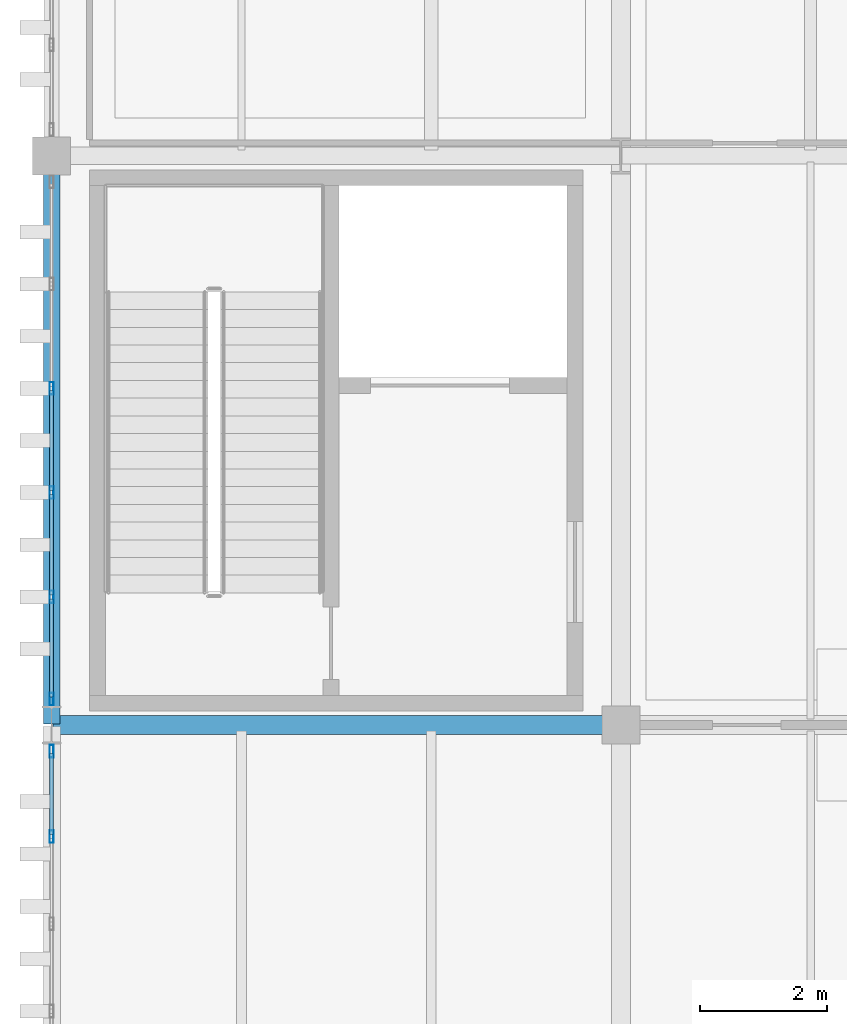
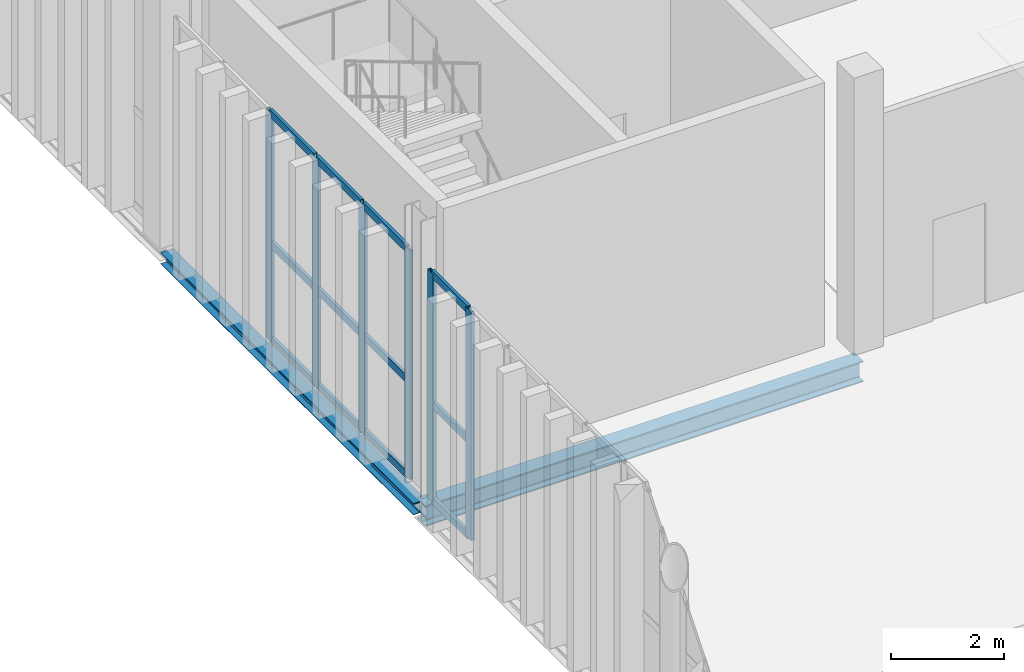
# One storey, part 34 of 211: 18 members, 2 beams, 2 elements without a shape of their own.
"""IFC4 building model written with IfcOpenShell, lengths in metres."""

from ifc_helpers import new_model, si_unit, direction, frame, origin, origin_2d, place, context, subcontext, project, spatial, hollow_rectangle, i_section, extrude, material, layer, layer_set, material_profile, profile_set, type_object, element, aggregate, save


model = new_model("IFC4")

# Units and contexts
model_context = context("Model", 3, precision=1e-05, world=origin(), true_north=direction((0.0, 1.0)))
body_context = subcontext(model_context, "Body", "Model", "MODEL_VIEW")
ifc_project = project(units=[si_unit("LENGTHUNIT", "METRE"), si_unit("AREAUNIT", "SQUARE_METRE"), si_unit("VOLUMEUNIT", "CUBIC_METRE"), si_unit("PLANEANGLEUNIT", "RADIAN"), si_unit("MASSUNIT", "GRAM", prefix="KILO")], contexts=[model_context])

# Site, building, storey
site_placement = place(None, origin())
site = spatial("IfcSite", under=ifc_project, at=site_placement, CompositionType="ELEMENT")
building_placement = place(site_placement, origin())
building = spatial("IfcBuilding", under=site, at=building_placement, Name="Barlavento Convention Centre", CompositionType="ELEMENT")
storey_placement = place(building_placement, frame((0.0, 0.0, 6.0)))
storey = spatial("IfcBuildingStorey", under=building, at=storey_placement, Name="L01", CompositionType="ELEMENT", Elevation=6.0)

# Curtain wall, members
ifc_material_1 = material(Name="Powder-coated aluminium and Low-E glass", Category="aluminium")
ifc_layer = layer(ifc_material_1, 0.18505859375)
ifc_layer_set = layer_set([ifc_layer], Name="ARC-CW-CONG-L01")
curtain_wall_type = type_object("IfcCurtainWallType", Name="ARC-CW-CONG-L01", PredefinedType="NOTDEFINED", material=ifc_layer_set)
curtain_wall_1_placement = place(storey_placement, origin())
curtain_wall_1 = element("IfcCurtainWall", 1, at=curtain_wall_1_placement, inside=storey, type_object=curtain_wall_type, Name="L01 unitised curtain wall CW01", PredefinedType="NOTDEFINED")
ifc_material_2 = material(Name="Powder-coated aluminium", Category="aluminium")
ifc_material_profile_1 = material_profile(ifc_material_2, hollow_rectangle(XDim=0.06494140625, YDim=0.199951171875, WallThickness=0.0048828125, at=origin_2d()), Name="AL-MULL 65x200x5")
ifc_profile_set_1 = profile_set([ifc_material_profile_1], Name="Powder-coated aluminium")
member_type_1 = type_object("IfcMemberType", Name="ARC-CWM-65X200", PredefinedType="MULLION", material=ifc_profile_set_1)
member_1_placement = place(storey_placement, frame((0.0, 16.239013671875, 0.0), z_axis=(0.0, 0.0, 1.0), x_axis=(-1.0, 0.0, 0.0)))
member_1 = element("IfcMember", 2, at=member_1_placement, type_object=member_type_1, Name="CW01 mullion 6", PredefinedType="MULLION", context=body_context, shape_type="SweptSolid", body=[
    extrude(hollow_rectangle(XDim=0.06494140625, YDim=0.199951171875, WallThickness=0.0048828125, at=origin_2d()), origin(), (0.0, 0.0, 1.0), 4.949951171875),
])
member_2_placement = place(storey_placement, frame((0.0, 17.58740234375, 0.0), z_axis=(0.0, 0.0, 1.0), x_axis=(-1.0, 0.0, 0.0)))
member_2 = element("IfcMember", 3, at=member_2_placement, type_object=member_type_1, Name="CW01 mullion 7", PredefinedType="MULLION", context=body_context, shape_type="SweptSolid", body=[
    extrude(hollow_rectangle(XDim=0.06494140625, YDim=0.199951171875, WallThickness=0.0048828125, at=origin_2d()), origin(), (0.0, 0.0, 1.0), 4.949951171875),
])

curtain_wall_2_placement = place(storey_placement, origin())
curtain_wall_2 = element("IfcCurtainWall", 4, at=curtain_wall_2_placement, inside=storey, type_object=curtain_wall_type, Name="L01 unitised curtain wall CW01", PredefinedType="NOTDEFINED")
member_3_placement = place(storey_placement, frame((0.0, 18.41259765625, 0.0), z_axis=(0.0, 0.0, 1.0), x_axis=(-1.0, 0.0, 0.0)))
member_3 = element("IfcMember", 5, at=member_3_placement, type_object=member_type_1, Name="CW01 mullion 1", PredefinedType="MULLION", context=body_context, shape_type="SweptSolid", body=[
    extrude(hollow_rectangle(XDim=0.06494140625, YDim=0.199951171875, WallThickness=0.0048828125, at=origin_2d()), origin(), (0.0, 0.0, 1.0), 4.949951171875),
])
member_4_placement = place(storey_placement, frame((0.0, 20.028076171875, 0.0), z_axis=(0.0, 0.0, 1.0), x_axis=(-1.0, 0.0, 0.0)))
member_4 = element("IfcMember", 6, at=member_4_placement, type_object=member_type_1, Name="CW01 mullion 2", PredefinedType="MULLION", context=body_context, shape_type="SweptSolid", body=[
    extrude(hollow_rectangle(XDim=0.06494140625, YDim=0.199951171875, WallThickness=0.0048828125, at=origin_2d()), origin(), (0.0, 0.0, 1.0), 4.949951171875),
])
member_5_placement = place(storey_placement, frame((0.0, 21.676025390625, 0.0), z_axis=(0.0, 0.0, 1.0), x_axis=(-1.0, 0.0, 0.0)))
member_5 = element("IfcMember", 7, at=member_5_placement, type_object=member_type_1, Name="CW01 mullion 3", PredefinedType="MULLION", context=body_context, shape_type="SweptSolid", body=[
    extrude(hollow_rectangle(XDim=0.06494140625, YDim=0.199951171875, WallThickness=0.0048828125, at=origin_2d()), origin(), (0.0, 0.0, 1.0), 4.949951171875),
])
member_6_placement = place(storey_placement, frame((0.0, 23.323974609375, 0.0), z_axis=(0.0, 0.0, 1.0), x_axis=(-1.0, 0.0, 0.0)))
member_6 = element("IfcMember", 8, at=member_6_placement, type_object=member_type_1, Name="CW01 mullion 4", PredefinedType="MULLION", context=body_context, shape_type="SweptSolid", body=[
    extrude(hollow_rectangle(XDim=0.06494140625, YDim=0.199951171875, WallThickness=0.0048828125, at=origin_2d()), origin(), (0.0, 0.0, 1.0), 4.949951171875),
])

# Member
ifc_material_profile_2 = material_profile(ifc_material_2, hollow_rectangle(XDim=0.06494140625, YDim=0.159912109375, WallThickness=0.0048828125, at=origin_2d()), Name="AL-TRAN 65x160x5")
ifc_profile_set_2 = profile_set([ifc_material_profile_2], Name="Powder-coated aluminium")
member_type_2 = type_object("IfcMemberType", Name="ARC-CWT-65X160", PredefinedType="USERDEFINED", material=ifc_profile_set_2)
member_7_placement = place(storey_placement, frame((0.0, 16.271484375, 0.032470703125), z_axis=(0.0, 1.0, 0.0), x_axis=(-1.0, 0.0, 0.0)))
member_7 = element("IfcMember", 9, at=member_7_placement, type_object=member_type_2, Name="CW01 transom 6.1", ObjectType="TRANSOM", PredefinedType="USERDEFINED", context=body_context, shape_type="SweptSolid", body=[
    extrude(hollow_rectangle(XDim=0.06494140625, YDim=0.159912109375, WallThickness=0.0048828125, at=origin_2d()), origin(), (0.0, 0.0, 1.0), 1.283447265625),
])

member_8_placement = place(storey_placement, frame((0.0, 16.271484375, 2.10009765625), z_axis=(0.0, 1.0, 0.0), x_axis=(-1.0, 0.0, 0.0)))
member_8 = element("IfcMember", 10, at=member_8_placement, type_object=member_type_2, Name="CW01 transom 6.2", ObjectType="TRANSOM", PredefinedType="USERDEFINED", context=body_context, shape_type="SweptSolid", body=[
    extrude(hollow_rectangle(XDim=0.06494140625, YDim=0.159912109375, WallThickness=0.0048828125, at=origin_2d()), origin(), (0.0, 0.0, 1.0), 1.283447265625),
])

member_9_placement = place(storey_placement, frame((0.0, 16.271484375, 4.91748046875), z_axis=(0.0, 1.0, 0.0), x_axis=(-1.0, 0.0, 0.0)))
member_9 = element("IfcMember", 11, at=member_9_placement, type_object=member_type_2, Name="CW01 transom 6.3", ObjectType="TRANSOM", PredefinedType="USERDEFINED", context=body_context, shape_type="SweptSolid", body=[
    extrude(hollow_rectangle(XDim=0.06494140625, YDim=0.159912109375, WallThickness=0.0048828125, at=origin_2d()), origin(), (0.0, 0.0, 1.0), 1.283447265625),
])

aggregate(curtain_wall_1, [member_1, member_2, member_7, member_8, member_9])

member_10_placement = place(storey_placement, frame((0.0, 18.445068359375, 0.032470703125), z_axis=(0.0, 1.0, 0.0), x_axis=(-1.0, 0.0, 0.0)))
member_10 = element("IfcMember", 12, at=member_10_placement, type_object=member_type_2, Name="CW01 transom 1.1", ObjectType="TRANSOM", PredefinedType="USERDEFINED", context=body_context, shape_type="SweptSolid", body=[
    extrude(hollow_rectangle(XDim=0.06494140625, YDim=0.159912109375, WallThickness=0.0048828125, at=origin_2d()), origin(), (0.0, 0.0, 1.0), 1.550537109375),
])

member_11_placement = place(storey_placement, frame((0.0, 18.445068359375, 2.10009765625), z_axis=(0.0, 1.0, 0.0), x_axis=(-1.0, 0.0, 0.0)))
member_11 = element("IfcMember", 13, at=member_11_placement, type_object=member_type_2, Name="CW01 transom 1.2", ObjectType="TRANSOM", PredefinedType="USERDEFINED", context=body_context, shape_type="SweptSolid", body=[
    extrude(hollow_rectangle(XDim=0.06494140625, YDim=0.159912109375, WallThickness=0.0048828125, at=origin_2d()), origin(), (0.0, 0.0, 1.0), 1.550537109375),
])

member_12_placement = place(storey_placement, frame((0.0, 18.445068359375, 4.91748046875), z_axis=(0.0, 1.0, 0.0), x_axis=(-1.0, 0.0, 0.0)))
member_12 = element("IfcMember", 14, at=member_12_placement, type_object=member_type_2, Name="CW01 transom 1.3", ObjectType="TRANSOM", PredefinedType="USERDEFINED", context=body_context, shape_type="SweptSolid", body=[
    extrude(hollow_rectangle(XDim=0.06494140625, YDim=0.159912109375, WallThickness=0.0048828125, at=origin_2d()), origin(), (0.0, 0.0, 1.0), 1.550537109375),
])

member_13_placement = place(storey_placement, frame((0.0, 20.060546875, 0.032470703125), z_axis=(0.0, 1.0, 0.0), x_axis=(-1.0, 0.0, 0.0)))
member_13 = element("IfcMember", 15, at=member_13_placement, type_object=member_type_2, Name="CW01 transom 2.1", ObjectType="TRANSOM", PredefinedType="USERDEFINED", context=body_context, shape_type="SweptSolid", body=[
    extrude(hollow_rectangle(XDim=0.06494140625, YDim=0.159912109375, WallThickness=0.0048828125, at=origin_2d()), origin(), (0.0, 0.0, 1.0), 1.5830078125),
])

member_14_placement = place(storey_placement, frame((0.0, 20.060546875, 2.10009765625), z_axis=(0.0, 1.0, 0.0), x_axis=(-1.0, 0.0, 0.0)))
member_14 = element("IfcMember", 16, at=member_14_placement, type_object=member_type_2, Name="CW01 transom 2.2", ObjectType="TRANSOM", PredefinedType="USERDEFINED", context=body_context, shape_type="SweptSolid", body=[
    extrude(hollow_rectangle(XDim=0.06494140625, YDim=0.159912109375, WallThickness=0.0048828125, at=origin_2d()), origin(), (0.0, 0.0, 1.0), 1.5830078125),
])

member_15_placement = place(storey_placement, frame((0.0, 20.060546875, 4.91748046875), z_axis=(0.0, 1.0, 0.0), x_axis=(-1.0, 0.0, 0.0)))
member_15 = element("IfcMember", 17, at=member_15_placement, type_object=member_type_2, Name="CW01 transom 2.3", ObjectType="TRANSOM", PredefinedType="USERDEFINED", context=body_context, shape_type="SweptSolid", body=[
    extrude(hollow_rectangle(XDim=0.06494140625, YDim=0.159912109375, WallThickness=0.0048828125, at=origin_2d()), origin(), (0.0, 0.0, 1.0), 1.5830078125),
])

member_16_placement = place(storey_placement, frame((0.0, 21.70849609375, 0.032470703125), z_axis=(0.0, 1.0, 0.0), x_axis=(-1.0, 0.0, 0.0)))
member_16 = element("IfcMember", 18, at=member_16_placement, type_object=member_type_2, Name="CW01 transom 3.1", ObjectType="TRANSOM", PredefinedType="USERDEFINED", context=body_context, shape_type="SweptSolid", body=[
    extrude(hollow_rectangle(XDim=0.06494140625, YDim=0.159912109375, WallThickness=0.0048828125, at=origin_2d()), origin(), (0.0, 0.0, 1.0), 1.5830078125),
])

member_17_placement = place(storey_placement, frame((0.0, 21.70849609375, 2.10009765625), z_axis=(0.0, 1.0, 0.0), x_axis=(-1.0, 0.0, 0.0)))
member_17 = element("IfcMember", 19, at=member_17_placement, type_object=member_type_2, Name="CW01 transom 3.2", ObjectType="TRANSOM", PredefinedType="USERDEFINED", context=body_context, shape_type="SweptSolid", body=[
    extrude(hollow_rectangle(XDim=0.06494140625, YDim=0.159912109375, WallThickness=0.0048828125, at=origin_2d()), origin(), (0.0, 0.0, 1.0), 1.5830078125),
])

member_18_placement = place(storey_placement, frame((0.0, 21.70849609375, 4.91748046875), z_axis=(0.0, 1.0, 0.0), x_axis=(-1.0, 0.0, 0.0)))
member_18 = element("IfcMember", 20, at=member_18_placement, type_object=member_type_2, Name="CW01 transom 3.3", ObjectType="TRANSOM", PredefinedType="USERDEFINED", context=body_context, shape_type="SweptSolid", body=[
    extrude(hollow_rectangle(XDim=0.06494140625, YDim=0.159912109375, WallThickness=0.0048828125, at=origin_2d()), origin(), (0.0, 0.0, 1.0), 1.5830078125),
])

aggregate(curtain_wall_2, [member_3, member_4, member_5, member_6, member_10, member_11, member_12, member_13, member_14, member_15, member_16, member_17, member_18])

# Beams
ifc_material_3 = material(Name="Steel S355", Category="steel")
ifc_material_profile_3 = material_profile(ifc_material_3, i_section(OverallWidth=0.300048828125, OverallDepth=0.449951171875, WebThickness=0.013916015625, FlangeThickness=0.02587890625, FilletRadius=0.027099609375, at=origin_2d()), Name="HEB 450")
ifc_profile_set_3 = profile_set([ifc_material_profile_3], Name="Steel S355")
beam_type_1 = type_object("IfcBeamType", Name="STR-BM-PRI-HEB450", PredefinedType="BEAM", material=ifc_profile_set_3)
beam_1_placement = place(storey_placement, frame((0.02001953125, 18.0, -0.52490234375), z_axis=(1.0, 0.0, 0.0), x_axis=(0.0, 1.0, 0.0)))
element("IfcBeam", 21, at=beam_1_placement, inside=storey, type_object=beam_type_1, Name="L01 primary girder BG10", PredefinedType="BEAM", context=body_context, shape_type="SweptSolid", body=[
    extrude(i_section(OverallWidth=0.300048828125, OverallDepth=0.449951171875, WebThickness=0.013916015625, FlangeThickness=0.02587890625, FilletRadius=0.027099609375, at=origin_2d()), origin(), (0.0, 0.0, 1.0), 8.9599609375),
])
ifc_material_profile_4 = material_profile(ifc_material_3, i_section(OverallWidth=0.260009765625, OverallDepth=0.25, WebThickness=0.007568359375, FlangeThickness=0.012451171875, FilletRadius=0.02392578125, at=origin_2d()), Name="HEA 260")
ifc_profile_set_4 = profile_set([ifc_material_profile_4], Name="Steel S355")
beam_type_2 = type_object("IfcBeamType", Name="STR-BM-SPN-HEA260", PredefinedType="SPANDREL", material=ifc_profile_set_4)
beam_2_placement = place(storey_placement, frame((0.0, 18.02001953125, -0.425048828125), z_axis=(0.0, 1.0, 0.0), x_axis=(-1.0, 0.0, 0.0)))
element("IfcBeam", 22, at=beam_2_placement, inside=storey, type_object=beam_type_2, Name="L01 grid girder SP04", PredefinedType="SPANDREL", context=body_context, shape_type="SweptSolid", body=[
    extrude(i_section(OverallWidth=0.260009765625, OverallDepth=0.25, WebThickness=0.007568359375, FlangeThickness=0.012451171875, FilletRadius=0.02392578125, at=origin_2d()), origin(), (0.0, 0.0, 1.0), 8.9599609375),
])

save(model, "model.ifc")
